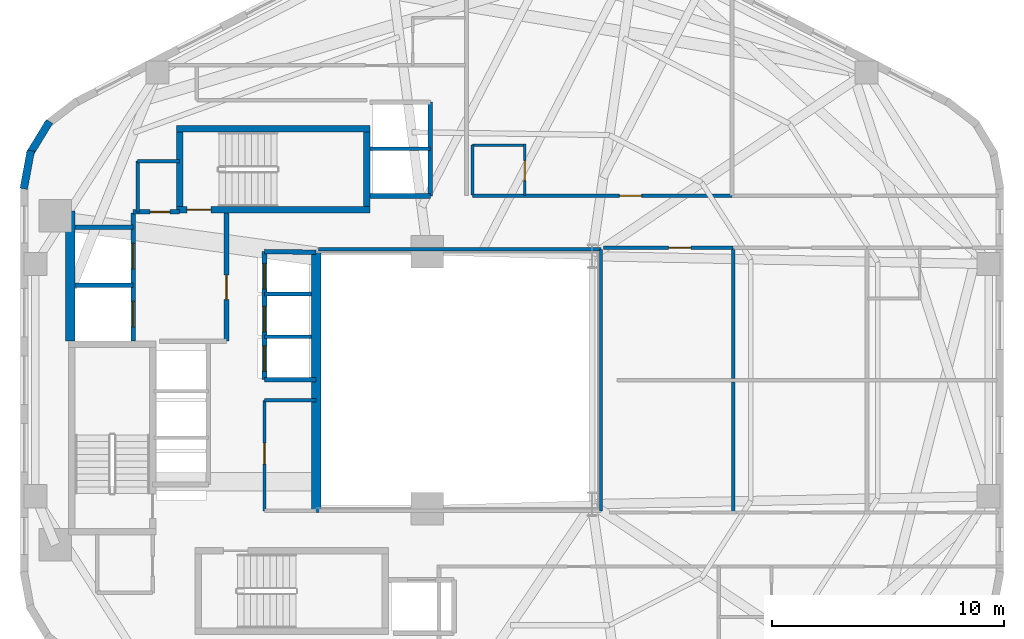
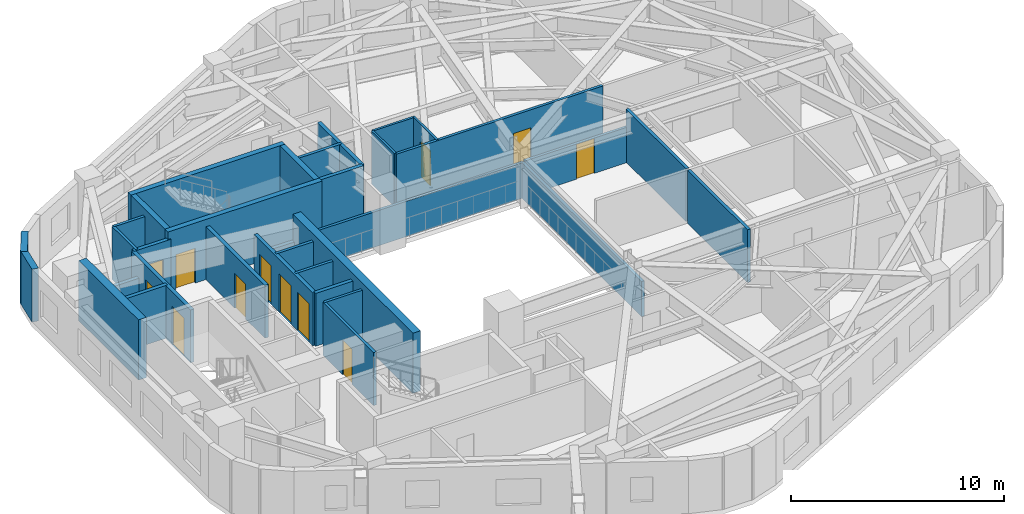
# One storey, part 4 of 7: 34 walls, 12 doors, 12 openings.
"""IFC4 building model written with IfcOpenShell, lengths in metres."""

from ifc_helpers import new_model, si_unit, direction, frame, frame_2d, origin, place, context, subcontext, project, spatial, rectangle, extrude, material, layer, layer_set, type_object, element, fill, save


model = new_model("IFC4")

# Units and contexts
model_context = context("Model", 3, precision=1e-05, world=origin(), true_north=direction((0.0, 1.0)))
body_context = subcontext(model_context, "Body", "Model", "MODEL_VIEW")
ifc_project = project(units=[si_unit("LENGTHUNIT", "METRE"), si_unit("AREAUNIT", "SQUARE_METRE"), si_unit("VOLUMEUNIT", "CUBIC_METRE"), si_unit("PLANEANGLEUNIT", "RADIAN"), si_unit("MASSUNIT", "GRAM", prefix="KILO"), si_unit("THERMODYNAMICTEMPERATUREUNIT", "KELVIN"), si_unit("POWERUNIT", "WATT")], contexts=[model_context])

# Site, building, storey
site_placement = place(None, origin())
site = spatial("IfcSite", under=ifc_project, at=site_placement, CompositionType="ELEMENT")
building_placement = place(site_placement, origin())
building = spatial("IfcBuilding", under=site, at=building_placement, Name="Skarre Station Tower", CompositionType="ELEMENT")
storey_placement = place(building_placement, frame((0.0, 0.0, 160.199951171875)))
storey = spatial("IfcBuildingStorey", under=building, at=storey_placement, Name="L43", CompositionType="ELEMENT", Elevation=160.199951171875)

# Wall, opening, door
ifc_material_1 = material(Name="Acoustic Steel-Stud Gypsum Partition", Category="steel")
ifc_layer_1 = layer(ifc_material_1, 0.14990234375, Name="Acoustic Steel-Stud Gypsum Partition")
ifc_layer_set_1 = layer_set([ifc_layer_1], Name="Acoustic Steel-Stud Gypsum Partition")
wall_type_1 = type_object("IfcWallType", Name="Fire-Rated Corridor Acoustic Partition 150", PredefinedType="PARTITIONING", material=ifc_layer_set_1)
wall_1_placement = place(storey_placement, frame((25.320068359375, 23.1298828125, 0.0), z_axis=(0.0, 0.0, 1.0), x_axis=(0.0, -1.0, 0.0)))
wall_1 = element("IfcWall", 1, at=wall_1_placement, inside=storey, type_object=wall_type_1, Name="L43 Interior Partition WL-PT-L43-RC1-W1", PredefinedType="PARTITIONING", context=body_context, shape_type="SweptSolid", body=[
    extrude(rectangle(XDim=4.769775390625, YDim=0.14990234375, at=frame_2d((2.384765625, 0.0))), origin(), (0.0, 0.0, 1.0), 3.030029296875),
])
opening_1_placement = place(wall_1_placement, frame((1.85009765625, 0.0, 0.0)))
opening_1 = element("IfcOpeningElement", 2, at=opening_1_placement, cuts=wall_1, Name="Opening DR-SVC90", PredefinedType="OPENING", context=body_context, shape_type="SweptSolid", body=[
    extrude(rectangle(XDim=0.89990234375, YDim=2.0, at=frame_2d((0.449951171875, 1.0))), frame((0.0, 0.0849609375, 0.0), z_axis=(0.0, -1.0, 0.0), x_axis=(1.0, 0.0, 0.0)), (0.0, 0.0, 1.0), 0.169921875),
])
ifc_material_2 = material(Name="Powder-Coated Hollow-Metal Acoustic Fire Leaf", Category="steel")
door_type_1 = type_object("IfcDoorType", Name="Service & Riser Fire Door FD60 900x2100", OperationType="SINGLE_SWING_LEFT", PredefinedType="DOOR", material=ifc_material_2)
door_1_placement = place(opening_1_placement, origin())
door_1 = element("IfcDoor", 3, at=door_1_placement, inside=storey, type_object=door_type_1, Name="L43 Core IT Room Door", OperationType="SINGLE_SWING_LEFT", OverallHeight=2.0, OverallWidth=0.89990234375, PredefinedType="DOOR", context=body_context, shape_type="SweptSolid", body=[
    extrude(rectangle(XDim=0.89990234375, YDim=2.0, at=frame_2d((0.449951171875, 1.0))), frame((0.0, 0.02490234375, 0.0), z_axis=(0.0, -1.0, 0.0), x_axis=(1.0, 0.0, 0.0)), (0.0, 0.0, 1.0), 0.050048828125),
])
fill(opening_1, door_1)

# Walls
wall_2_placement = place(storey_placement, frame((25.320068359375, 23.1298828125, 0.0), z_axis=(0.0, 0.0, 1.0), x_axis=(1.0, 0.0, 0.0)))
element("IfcWall", 4, at=wall_2_placement, inside=storey, type_object=wall_type_1, Name="L43 Interior Partition WL-PT-L43-RC1-N3", PredefinedType="PARTITIONING", context=body_context, shape_type="SweptSolid", body=[
    extrude(rectangle(XDim=2.22998046875, YDim=0.14990234375, at=frame_2d((1.114990234375, 0.0))), origin(), (0.0, 0.0, 1.0), 3.030029296875),
])
wall_3_placement = place(storey_placement, frame((19.85009765625, 33.449951171875, 0.0), z_axis=(0.0, 0.0, 1.0), x_axis=(0.0, -1.0, 0.0)))
element("IfcWall", 5, at=wall_3_placement, inside=storey, type_object=wall_type_1, Name="L43 Interior Partition WL-PT-L43-CNW-W", PredefinedType="PARTITIONING", context=body_context, shape_type="SweptSolid", body=[
    extrude(rectangle(XDim=2.18994140625, YDim=0.14990234375, at=frame_2d((1.094970703125, 0.0))), origin(), (0.0, 0.0, 1.0), 3.030029296875),
])
wall_4_placement = place(storey_placement, frame((21.659912109375, 33.449951171875, 0.0), z_axis=(0.0, 0.0, 1.0), x_axis=(-1.0, 0.0, 0.0)))
element("IfcWall", 6, at=wall_4_placement, inside=storey, type_object=wall_type_1, Name="L43 Interior Partition WL-PT-L43-CNW-N1", PredefinedType="PARTITIONING", context=body_context, shape_type="SweptSolid", body=[
    extrude(rectangle(XDim=1.809814453125, YDim=0.14990234375, at=frame_2d((0.90478515625, 0.0))), origin(), (0.0, 0.0, 1.0), 3.030029296875),
])
wall_5_placement = place(storey_placement, frame((39.840087890625, 29.639892578125, 0.0), z_axis=(0.0, 0.0, 1.0), x_axis=(-1.0, 0.0, 0.0)))
element("IfcWall", 7, at=wall_5_placement, inside=storey, type_object=wall_type_1, Name="L43 Interior Partition WL-PT-L43-ATRW-N", PredefinedType="PARTITIONING", context=body_context, shape_type="SweptSolid", body=[
    extrude(rectangle(XDim=12.2001953125, YDim=0.14990234375, at=frame_2d((6.10009765625, 0.0))), origin(), (0.0, 0.0, 1.0), 2.02197265625),
])
wall_6_placement = place(storey_placement, frame((39.840087890625, 18.360107421875, 0.0), z_axis=(0.0, 0.0, 1.0), x_axis=(0.0, 1.0, 0.0)))
element("IfcWall", 8, at=wall_6_placement, inside=storey, type_object=wall_type_1, Name="L43 Interior Partition WL-PT-L43-ATRW-E", PredefinedType="PARTITIONING", context=body_context, shape_type="SweptSolid", body=[
    extrude(rectangle(XDim=11.27978515625, YDim=0.14990234375, at=frame_2d((5.639892578125, 0.0))), origin(), (0.0, 0.0, 1.0), 2.02197265625),
])

# Wall, opening, door
wall_7_placement = place(storey_placement, frame((45.493896484375, 31.9599609375, 0.0), z_axis=(0.0, 0.0, 1.0), x_axis=(-1.0, 0.0, 0.0)))
wall_7 = element("IfcWall", 9, at=wall_7_placement, inside=storey, type_object=wall_type_1, Name="L43 Interior Partition WL-PT-L43-NW1-CW", PredefinedType="PARTITIONING", context=body_context, shape_type="SweptSolid", body=[
    extrude(rectangle(XDim=11.203857421875, YDim=0.14990234375, at=frame_2d((5.60205078125, 0.0))), origin(), (0.0, 0.0, 1.0), 3.030029296875),
])
opening_2_placement = place(wall_7_placement, frame((3.903076171875, 0.0, 0.0)))
opening_2 = element("IfcOpeningElement", 10, at=opening_2_placement, cuts=wall_7, Name="Opening DR-FD60", PredefinedType="OPENING", context=body_context, shape_type="SweptSolid", body=[
    extrude(rectangle(XDim=0.9599609375, YDim=2.0, at=frame_2d((0.47998046875, 1.0))), frame((0.0, 0.0849609375, 0.0), z_axis=(0.0, -1.0, 0.0), x_axis=(1.0, 0.0, 0.0)), (0.0, 0.0, 1.0), 0.169921875),
])
ifc_material_3 = material(Name="Nordic White-Oak Veneer Solid-Core Fire Leaf", Category="wood")
door_type_2 = type_object("IfcDoorType", Name="Corridor Suite Entry Fire Door FD60 960x2150", OperationType="SINGLE_SWING_LEFT", PredefinedType="DOOR", material=ifc_material_3)
door_2_placement = place(opening_2_placement, origin())
door_2 = element("IfcDoor", 11, at=door_2_placement, inside=storey, type_object=door_type_2, Name="L43 NW1 Entry Door", OperationType="SINGLE_SWING_LEFT", OverallHeight=2.0, OverallWidth=0.9599609375, PredefinedType="DOOR", context=body_context, shape_type="SweptSolid", body=[
    extrude(rectangle(XDim=0.9599609375, YDim=2.0, at=frame_2d((0.47998046875, 1.0))), frame((0.0, 0.02490234375, 0.0), z_axis=(0.0, -1.0, 0.0), x_axis=(1.0, 0.0, 0.0)), (0.0, 0.0, 1.0), 0.050048828125),
])
fill(opening_2, door_2)

wall_8_placement = place(storey_placement, frame((39.949951171875, 29.7099609375, 0.0), z_axis=(0.0, 0.0, 1.0), x_axis=(1.0, 0.0, 0.0)))
wall_8 = element("IfcWall", 12, at=wall_8_placement, inside=storey, type_object=wall_type_1, Name="L43 Interior Partition WL-PT-L43-EWN1-CW", PredefinedType="PARTITIONING", context=body_context, shape_type="SweptSolid", body=[
    extrude(rectangle(XDim=5.583984375, YDim=0.14990234375, at=frame_2d((2.7919921875, 0.0))), origin(), (0.0, 0.0, 1.0), 2.02197265625),
])
opening_3_placement = place(wall_8_placement, frame((2.81201171875, 0.0, 0.0)))
opening_3 = element("IfcOpeningElement", 13, at=opening_3_placement, cuts=wall_8, Name="Opening DR-FD60", PredefinedType="OPENING", context=body_context, shape_type="SweptSolid", body=[
    extrude(rectangle(XDim=0.9599609375, YDim=2.0, at=frame_2d((0.47998046875, 1.0))), frame((0.0, 0.0849609375, 0.0), z_axis=(0.0, -1.0, 0.0), x_axis=(1.0, 0.0, 0.0)), (0.0, 0.0, 1.0), 0.169921875),
])
door_3_placement = place(opening_3_placement, origin())
door_3 = element("IfcDoor", 14, at=door_3_placement, inside=storey, type_object=door_type_2, Name="L43 EWN1 Entry Door", OperationType="SINGLE_SWING_LEFT", OverallHeight=2.0, OverallWidth=0.9599609375, PredefinedType="DOOR", context=body_context, shape_type="SweptSolid", body=[
    extrude(rectangle(XDim=0.9599609375, YDim=2.0, at=frame_2d((0.47998046875, 1.0))), frame((0.0, 0.02490234375, 0.0), z_axis=(0.0, -1.0, 0.0), x_axis=(1.0, 0.0, 0.0)), (0.0, 0.0, 1.0), 0.050048828125),
])
fill(opening_3, door_3)

ifc_material_4 = material(Name="Insulated Timber-Stud Gypsum Partition", Category="wood")
ifc_layer_2 = layer(ifc_material_4, 0.1201171875, Name="Insulated Timber-Stud Gypsum Partition")
ifc_layer_set_2 = layer_set([ifc_layer_2], Name="Insulated Timber-Stud Gypsum Partition")
wall_type_2 = type_object("IfcWallType", Name="Internal Suite Acoustic Partition 120", PredefinedType="PARTITIONING", material=ifc_layer_set_2)
wall_9_placement = place(storey_placement, frame((36.550048828125, 31.9599609375, 0.0), z_axis=(0.0, 0.0, 1.0), x_axis=(0.0, 1.0, 0.0)))
wall_9 = element("IfcWall", 15, at=wall_9_placement, inside=storey, type_object=wall_type_2, Name="L43 Interior Partition WL-PT-L43-NW1-EW2", PredefinedType="PARTITIONING", context=body_context, shape_type="SweptSolid", body=[
    extrude(rectangle(XDim=2.239990234375, YDim=0.1201171875, at=frame_2d((1.1201171875, 0.0))), origin(), (0.0, 0.0, 1.0), 3.030029296875),
])
opening_4_placement = place(wall_9_placement, frame((0.64990234375, 0.0, 0.0)))
opening_4 = element("IfcOpeningElement", 16, at=opening_4_placement, cuts=wall_9, Name="Opening DR-INT86", PredefinedType="OPENING", context=body_context, shape_type="SweptSolid", body=[
    extrude(rectangle(XDim=0.860107421875, YDim=2.0, at=frame_2d((0.43017578125, 1.0))), frame((0.0, 0.070068359375, 0.0), z_axis=(0.0, -1.0, 0.0), x_axis=(1.0, 0.0, 0.0)), (0.0, 0.0, 1.0), 0.14013671875),
])
ifc_material_5 = material(Name="Nordic Birch Acoustic Solid-Core Timber Leaf", Category="wood")
door_type_3 = type_object("IfcDoorType", Name="Internal En-Suite & Bedroom Door 860x2100", OperationType="SINGLE_SWING_LEFT", PredefinedType="DOOR", material=ifc_material_5)
door_4_placement = place(opening_4_placement, origin())
door_4 = element("IfcDoor", 17, at=door_4_placement, inside=storey, type_object=door_type_3, Name="L43 NW1 En-suite Door", OperationType="SINGLE_SWING_LEFT", OverallHeight=2.0, OverallWidth=0.860107421875, PredefinedType="DOOR", context=body_context, shape_type="SweptSolid", body=[
    extrude(rectangle(XDim=0.860107421875, YDim=2.0, at=frame_2d((0.43017578125, 1.0))), frame((0.0, 0.02490234375, 0.0), z_axis=(0.0, -1.0, 0.0), x_axis=(1.0, 0.0, 0.0)), (0.0, 0.0, 1.0), 0.050048828125),
])
fill(opening_4, door_4)

# Walls
wall_10_placement = place(storey_placement, frame((36.610107421875, 34.139892578125, 0.0), z_axis=(0.0, 0.0, 1.0), x_axis=(-1.0, 0.0, 0.0)))
element("IfcWall", 18, at=wall_10_placement, inside=storey, type_object=wall_type_2, Name="L43 Interior Partition WL-PT-L43-NW1-EW3", PredefinedType="PARTITIONING", context=body_context, shape_type="SweptSolid", body=[
    extrude(rectangle(XDim=2.320068359375, YDim=0.1201171875, at=frame_2d((1.16015625, 0.0))), origin(), (0.0, 0.0, 1.0), 3.030029296875),
])
wall_11_placement = place(storey_placement, frame((34.2900390625, 34.139892578125, 0.0), z_axis=(0.0, 0.0, 1.0), x_axis=(0.0, -1.0, 0.0)))
element("IfcWall", 19, at=wall_11_placement, inside=storey, type_object=wall_type_2, Name="L43 Interior Partition WL-PT-L43-NW1-EW4", PredefinedType="PARTITIONING", context=body_context, shape_type="SweptSolid", body=[
    extrude(rectangle(XDim=2.139892578125, YDim=0.1201171875, at=frame_2d((1.06982421875, 0.0))), origin(), (0.0, 0.0, 1.0), 3.030029296875),
])
ifc_material_6 = material(Name="Precast concrete C45/55", Category="concrete")
ifc_layer_3 = layer(ifc_material_6, 0.330078125, Name="Precast concrete C45/55")
ifc_layer_set_3 = layer_set([ifc_layer_3], Name="Precast concrete C45/55")
wall_type_3 = type_object("IfcWallType", Name="Nordic Rounded Corner Precast Wall 330", PredefinedType="STANDARD", material=ifc_layer_set_3)
wall_12_placement = place(storey_placement, frame((14.931884765625, 32.258056640625, 0.0), z_axis=(0.0, 0.0, 1.0), x_axis=(0.181984991895, 0.983301308209, 0.0)))
element("IfcWall", 20, at=wall_12_placement, inside=storey, type_object=wall_type_3, Name="L43 Rounded Corner Precast Wall F2-1", PredefinedType="STANDARD", context=body_context, shape_type="SweptSolid", body=[
    extrude(rectangle(XDim=1.677001953125, YDim=0.330078125, at=frame_2d((0.83837890625, 0.0))), origin(), (0.0, 0.0, 1.0), 3.030029296875),
])
wall_13_placement = place(storey_placement, frame((15.169921875, 33.73193359375, 0.0), z_axis=(0.0, 0.0, 1.0), x_axis=(0.520519429557, 0.853849824883, 0.0)))
element("IfcWall", 21, at=wall_13_placement, inside=storey, type_object=wall_type_3, Name="L43 Rounded Corner Precast Wall F2-2", PredefinedType="STANDARD", context=body_context, shape_type="SweptSolid", body=[
    extrude(rectangle(XDim=1.67724609375, YDim=0.330078125, at=frame_2d((0.838623046875, 0.0))), origin(), (0.0, 0.0, 1.0), 3.030029296875),
])

# Wall, opening, door
ifc_material_7 = material(Name="Concrete C50/60", Category="concrete")
ifc_layer_4 = layer(ifc_material_7, 0.280029296875, Name="Concrete C50/60")
ifc_layer_set_4 = layer_set([ifc_layer_4], Name="Concrete C50/60")
wall_type_4 = type_object("IfcWallType", Name="RC Core Shear Wall 280", PredefinedType="SHEAR", material=ifc_layer_set_4)
wall_14_placement = place(storey_placement, frame((21.52001953125, 31.360107421875, 0.0), z_axis=(0.0, 0.0, 1.0), x_axis=(1.0, 0.0, 0.0)))
wall_14 = element("IfcWall", 22, at=wall_14_placement, inside=storey, type_object=wall_type_4, Name="L43 Stair ST-3 South Shear Wall", PredefinedType="SHEAR", context=body_context, shape_type="SweptSolid", body=[
    extrude(rectangle(XDim=8.35986328125, YDim=0.280029296875, at=frame_2d((4.179931640625, 0.0))), origin(), (0.0, 0.0, 1.0), 3.449951171875),
])
opening_5_placement = place(wall_14_placement, frame((0.449951171875, 0.0, 0.0)))
opening_5 = element("IfcOpeningElement", 23, at=opening_5_placement, cuts=wall_14, Name="Opening DR-FD90", PredefinedType="OPENING", context=body_context, shape_type="SweptSolid", body=[
    extrude(rectangle(XDim=1.050048828125, YDim=2.0, at=frame_2d((0.52490234375, 1.0))), frame((0.0, 0.14990234375, 0.0), z_axis=(0.0, -1.0, 0.0), x_axis=(1.0, 0.0, 0.0)), (0.0, 0.0, 1.0), 0.300048828125),
])
ifc_material_8 = material(Name="Fire-Rated Insulated Steel Frame & Timber Core Leaf", Category="steel")
door_type_4 = type_object("IfcDoorType", Name="Stair & FSAE Lobby Fire Door FD90 1050x2150", OperationType="SINGLE_SWING_RIGHT", PredefinedType="DOOR", material=ifc_material_8)
door_5_placement = place(opening_5_placement, origin())
door_5 = element("IfcDoor", 24, at=door_5_placement, inside=storey, type_object=door_type_4, Name="L43 Stair ST-3 & FSAE Lobby Direct Exit Door", OperationType="SINGLE_SWING_LEFT", OverallHeight=2.0, OverallWidth=1.050048828125, PredefinedType="DOOR", context=body_context, shape_type="SweptSolid", body=[
    extrude(rectangle(XDim=1.050048828125, YDim=2.0, at=frame_2d((0.52490234375, 1.0))), frame((0.0, 0.02490234375, 0.0), z_axis=(0.0, -1.0, 0.0), x_axis=(1.0, 0.0, 0.0)), (0.0, 0.0, 1.0), 0.050048828125),
])
fill(opening_5, door_5)

# Walls
wall_15_placement = place(storey_placement, frame((29.8798828125, 34.840087890625, 0.0), z_axis=(0.0, 0.0, 1.0), x_axis=(-1.0, 0.0, 0.0)))
element("IfcWall", 25, at=wall_15_placement, inside=storey, type_object=wall_type_4, Name="L43 Stair ST-3 North Shear Wall", PredefinedType="SHEAR", context=body_context, shape_type="SweptSolid", body=[
    extrude(rectangle(XDim=8.35986328125, YDim=0.280029296875, at=frame_2d((4.179931640625, 0.0))), origin(), (0.0, 0.0, 1.0), 3.449951171875),
])
for number, where, z_axis, x_axis, name in (
    (26, (21.659912109375, 34.699951171875, 0.0), (0.0, 0.0, 1.0), (0.0, -1.0, 0.0), "L43 Stair ST-3 West Shear Wall"),
    (27, (29.739990234375, 31.5, 0.0), (0.0, 0.0, 1.0), (0.0, 1.0, 0.0), "L43 Stair ST-3 East Shear Wall"),
):
    element("IfcWall", number, at=place(storey_placement, frame(where, z_axis=z_axis, x_axis=x_axis)), inside=storey, type_object=wall_type_4, Name=name, PredefinedType="SHEAR", context=body_context, shape_type="SweptSolid", body=[
        extrude(rectangle(XDim=3.199951171875, YDim=0.280029296875, at=frame_2d((1.60009765625, 0.0))), origin(), (0.0, 0.0, 1.0), 3.449951171875),
    ])
ifc_material_9 = material(Name="Concrete C60/75", Category="concrete")
ifc_layer_5 = layer(ifc_material_9, 0.419921875, Name="Concrete C60/75")
ifc_layer_set_5 = layer_set([ifc_layer_5], Name="Concrete C60/75")
wall_type_5 = type_object("IfcWallType", Name="RC Core Shear Wall 420", PredefinedType="SHEAR", material=ifc_layer_set_5)
wall_16_placement = place(storey_placement, frame((16.93994140625, 25.679931640625, 0.0), z_axis=(0.0, 0.0, 1.0), x_axis=(0.0, 1.0, 0.0)))
element("IfcWall", 28, at=wall_16_placement, inside=storey, type_object=wall_type_5, Name="L43 Core West-North Shear Wall", PredefinedType="SHEAR", context=body_context, shape_type="SweptSolid", body=[
    extrude(rectangle(XDim=5.6201171875, YDim=0.419921875, at=frame_2d((2.81005859375, 0.0))), origin(), (0.0, 0.0, 1.0), 3.449951171875),
])
wall_17_placement = place(storey_placement, frame((27.550048828125, 29.550048828125, 0.0), z_axis=(0.0, 0.0, 1.0), x_axis=(0.0, -1.0, 0.0)))
element("IfcWall", 29, at=wall_17_placement, inside=storey, type_object=wall_type_5, Name="L43 Core East Atrium Shear Wall", PredefinedType="SHEAR", context=body_context, shape_type="SweptSolid", body=[
    extrude(rectangle(XDim=11.25, YDim=0.419921875, at=frame_2d((5.625, 0.0))), origin(), (0.0, 0.0, 1.0), 3.449951171875),
])

# Wall, openings, doors
ifc_material_10 = material(Name="Gypsum Concrete Shaft Assembly C30/37", Category="concrete")
ifc_layer_6 = layer(ifc_material_10, 0.199951171875, Name="Gypsum Concrete Shaft Assembly C30/37")
ifc_layer_set_6 = layer_set([ifc_layer_6], Name="Gypsum Concrete Shaft Assembly C30/37")
wall_type_6 = type_object("IfcWallType", Name="Shaft & Core Fire Partition 200", PredefinedType="PARTITIONING", material=ifc_layer_set_6)
wall_18_placement = place(storey_placement, frame((19.64990234375, 25.679931640625, 0.0), z_axis=(0.0, 0.0, 1.0), x_axis=(0.0, 1.0, 0.0)))
wall_18 = element("IfcWall", 30, at=wall_18_placement, inside=storey, type_object=wall_type_6, Name="L43 Interior Partition WL-PT-L43-FSAE-W", PredefinedType="PARTITIONING", context=body_context, shape_type="SweptSolid", body=[
    extrude(rectangle(XDim=5.5400390625, YDim=0.199951171875, at=frame_2d((2.77001953125, 0.0))), origin(), (0.0, 0.0, 1.0), 3.030029296875),
])
opening_6_placement = place(wall_18_placement, frame((0.6201171875, 0.0, 0.0)))
opening_6 = element("IfcOpeningElement", 31, at=opening_6_placement, cuts=wall_18, Name="Opening LD-FF1", PredefinedType="OPENING", context=body_context, shape_type="SweptSolid", body=[
    extrude(rectangle(XDim=1.10009765625, YDim=2.199951171875, at=frame_2d((0.550048828125, 1.10009765625))), frame((0.0, 0.10986328125, 0.0), z_axis=(0.0, -1.0, 0.0), x_axis=(1.0, 0.0, 0.0)), (0.0, 0.0, 1.0), 0.219970703125),
])
opening_7_placement = place(wall_18_placement, frame((3.1201171875, 0.0, 0.0)))
opening_7 = element("IfcOpeningElement", 32, at=opening_7_placement, cuts=wall_18, Name="Opening LD-FF2", PredefinedType="OPENING", context=body_context, shape_type="SweptSolid", body=[
    extrude(rectangle(XDim=1.10009765625, YDim=2.199951171875, at=frame_2d((0.550048828125, 1.10009765625))), frame((0.0, 0.10986328125, 0.0), z_axis=(0.0, -1.0, 0.0), x_axis=(1.0, 0.0, 0.0)), (0.0, 0.0, 1.0), 0.219970703125),
])
ifc_material_11 = material(Name="Fire-Rated Stainless Steel Grade 316L Sliding Leaves", Category="steel")
door_type_5 = type_object("IfcDoorType", Name="Fire Service Access Elevator Sliding Landing Door 1100x2200", OperationType="SLIDING_TO_LEFT", PredefinedType="DOOR", material=ifc_material_11)
door_6_placement = place(opening_6_placement, origin())
door_6 = element("IfcDoor", 33, at=door_6_placement, inside=storey, type_object=door_type_5, Name="L43 Firefighting Lift LF-FF1 Landing Door", OperationType="SLIDING_TO_LEFT", OverallHeight=2.199951171875, OverallWidth=1.10009765625, PredefinedType="DOOR", context=body_context, shape_type="SweptSolid", body=[
    extrude(rectangle(XDim=1.10009765625, YDim=2.199951171875, at=frame_2d((0.550048828125, 1.10009765625))), frame((0.0, 0.02490234375, 0.0), z_axis=(0.0, -1.0, 0.0), x_axis=(1.0, 0.0, 0.0)), (0.0, 0.0, 1.0), 0.050048828125),
])
fill(opening_6, door_6)
door_7_placement = place(opening_7_placement, origin())
door_7 = element("IfcDoor", 34, at=door_7_placement, inside=storey, type_object=door_type_5, Name="L43 Firefighting Lift LF-FF2 Landing Door", OperationType="SLIDING_TO_LEFT", OverallHeight=2.199951171875, OverallWidth=1.10009765625, PredefinedType="DOOR", context=body_context, shape_type="SweptSolid", body=[
    extrude(rectangle(XDim=1.10009765625, YDim=2.199951171875, at=frame_2d((0.550048828125, 1.10009765625))), frame((0.0, 0.02490234375, 0.0), z_axis=(0.0, -1.0, 0.0), x_axis=(1.0, 0.0, 0.0)), (0.0, 0.0, 1.0), 0.050048828125),
])
fill(opening_7, door_7)

# Wall, opening, door
wall_19_placement = place(storey_placement, frame((23.679931640625, 25.679931640625, 0.0), z_axis=(0.0, 0.0, 1.0), x_axis=(0.0, 1.0, 0.0)))
wall_19 = element("IfcWall", 35, at=wall_19_placement, inside=storey, type_object=wall_type_6, Name="L43 Interior Partition WL-PT-L43-FSAE-E", PredefinedType="PARTITIONING", context=body_context, shape_type="SweptSolid", body=[
    extrude(rectangle(XDim=5.5400390625, YDim=0.199951171875, at=frame_2d((2.77001953125, 0.0))), origin(), (0.0, 0.0, 1.0), 3.030029296875),
])
opening_8_placement = place(wall_19_placement, frame((1.800048828125, 0.0, 0.0)))
opening_8 = element("IfcOpeningElement", 36, at=opening_8_placement, cuts=wall_19, Name="Opening DR-FD90", PredefinedType="OPENING", context=body_context, shape_type="SweptSolid", body=[
    extrude(rectangle(XDim=1.050048828125, YDim=2.0, at=frame_2d((0.52490234375, 1.0))), frame((0.0, 0.10986328125, 0.0), z_axis=(0.0, -1.0, 0.0), x_axis=(1.0, 0.0, 0.0)), (0.0, 0.0, 1.0), 0.219970703125),
])
door_8_placement = place(opening_8_placement, origin())
door_8 = element("IfcDoor", 37, at=door_8_placement, inside=storey, type_object=door_type_4, Name="L43 FSAE Lobby Fire Door", OperationType="SINGLE_SWING_RIGHT", OverallHeight=2.0, OverallWidth=1.050048828125, PredefinedType="DOOR", context=body_context, shape_type="SweptSolid", body=[
    extrude(rectangle(XDim=1.050048828125, YDim=2.0, at=frame_2d((0.52490234375, 1.0))), frame((0.0, 0.02490234375, 0.0), z_axis=(0.0, -1.0, 0.0), x_axis=(1.0, 0.0, 0.0)), (0.0, 0.0, 1.0), 0.050048828125),
])
fill(opening_8, door_8)

wall_20_placement = place(storey_placement, frame((21.659912109375, 31.260009765625, 0.0), z_axis=(0.0, 0.0, 1.0), x_axis=(-1.0, 0.0, 0.0)))
wall_20 = element("IfcWall", 38, at=wall_20_placement, inside=storey, type_object=wall_type_6, Name="L43 Interior Partition WL-PT-L43-FSAE-N", PredefinedType="PARTITIONING", context=body_context, shape_type="SweptSolid", body=[
    extrude(rectangle(XDim=2.010009765625, YDim=0.199951171875, at=frame_2d((1.0048828125, 0.0))), origin(), (0.0, 0.0, 1.0), 3.030029296875),
])
opening_9_placement = place(wall_20_placement, frame((0.419921875, 0.0, 0.0)))
opening_9 = element("IfcOpeningElement", 39, at=opening_9_placement, cuts=wall_20, Name="Opening DR-SVC86", PredefinedType="OPENING", context=body_context, shape_type="SweptSolid", body=[
    extrude(rectangle(XDim=0.860107421875, YDim=2.0, at=frame_2d((0.43017578125, 1.0))), frame((0.0, 0.10986328125, 0.0), z_axis=(0.0, -1.0, 0.0), x_axis=(1.0, 0.0, 0.0)), (0.0, 0.0, 1.0), 0.219970703125),
])
door_type_6 = type_object("IfcDoorType", Name="Compact Riser Fire Door FD60 860x2100", OperationType="SINGLE_SWING_LEFT", PredefinedType="DOOR", material=ifc_material_2)
door_9_placement = place(opening_9_placement, origin())
door_9 = element("IfcDoor", 40, at=door_9_placement, inside=storey, type_object=door_type_6, Name="L43 Core Service Room Lobby Door", OperationType="SINGLE_SWING_LEFT", OverallHeight=2.0, OverallWidth=0.860107421875, PredefinedType="DOOR", context=body_context, shape_type="SweptSolid", body=[
    extrude(rectangle(XDim=0.860107421875, YDim=2.0, at=frame_2d((0.43017578125, 1.0))), frame((0.0, 0.02490234375, 0.0), z_axis=(0.0, -1.0, 0.0), x_axis=(1.0, 0.0, 0.0)), (0.0, 0.0, 1.0), 0.050048828125),
])
fill(opening_9, door_9)

# Walls
wall_21_placement = place(storey_placement, frame((17.14990234375, 28.10009765625, 0.0), z_axis=(0.0, 0.0, 1.0), x_axis=(1.0, 0.0, 0.0)))
element("IfcWall", 41, at=wall_21_placement, inside=storey, type_object=wall_type_6, Name="L43 Interior Partition WL-PT-L43-FF-DIV", PredefinedType="PARTITIONING", context=body_context, shape_type="SweptSolid", body=[
    extrude(rectangle(XDim=2.5, YDim=0.199951171875, at=frame_2d((1.25, 0.0))), origin(), (0.0, 0.0, 1.0), 3.030029296875),
])
wall_22_placement = place(storey_placement, frame((19.64990234375, 30.60009765625, 0.0), z_axis=(0.0, 0.0, 1.0), x_axis=(-1.0, 0.0, 0.0)))
element("IfcWall", 42, at=wall_22_placement, inside=storey, type_object=wall_type_6, Name="L43 Interior Partition WL-PT-L43-FF-N", PredefinedType="PARTITIONING", context=body_context, shape_type="SweptSolid", body=[
    extrude(rectangle(XDim=2.5, YDim=0.199951171875, at=frame_2d((1.25, 0.0))), origin(), (0.0, 0.0, 1.0), 1.929931640625),
])
wall_23_placement = place(storey_placement, frame((32.47998046875, 31.949951171875, 0.0), z_axis=(0.0, 0.0, 1.0), x_axis=(0.0, 1.0, 0.0)))
element("IfcWall", 43, at=wall_23_placement, inside=storey, type_object=wall_type_6, Name="L43 Interior Partition WL-PT-L43-EX-E", PredefinedType="PARTITIONING", context=body_context, shape_type="SweptSolid", body=[
    extrude(rectangle(XDim=4.050048828125, YDim=0.199951171875, at=frame_2d((2.02490234375, 0.0))), origin(), (0.0, 0.0, 1.0), 3.030029296875),
])
wall_24_placement = place(storey_placement, frame((32.47998046875, 31.949951171875, 0.0), z_axis=(0.0, 0.0, 1.0), x_axis=(-1.0, 0.0, 0.0)))
element("IfcWall", 44, at=wall_24_placement, inside=storey, type_object=wall_type_6, Name="L43 Interior Partition WL-PT-L43-EX-S", PredefinedType="PARTITIONING", context=body_context, shape_type="SweptSolid", body=[
    extrude(rectangle(XDim=2.60009765625, YDim=0.199951171875, at=frame_2d((1.300048828125, 0.0))), origin(), (0.0, 0.0, 1.0), 3.030029296875),
])
wall_25_placement = place(storey_placement, frame((29.875, 33.97998046875, 0.0), z_axis=(0.0, 0.0, 1.0), x_axis=(1.0, 0.0, 0.0)))
element("IfcWall", 45, at=wall_25_placement, inside=storey, type_object=wall_type_6, Name="L43 Interior Partition WL-PT-L43-EX-DIV", PredefinedType="PARTITIONING", context=body_context, shape_type="SweptSolid", body=[
    extrude(rectangle(XDim=2.60498046875, YDim=0.159912109375, at=frame_2d((1.302490234375, 0.0))), origin(), (0.0, 0.0, 1.0), 3.030029296875),
])

# Wall, openings, doors
wall_26_placement = place(storey_placement, frame((25.320068359375, 29.550048828125, 0.0), z_axis=(0.0, 0.0, 1.0), x_axis=(0.0, -1.0, 0.0)))
wall_26 = element("IfcWall", 46, at=wall_26_placement, inside=storey, type_object=wall_type_6, Name="L43 Interior Partition WL-PT-L43-B2-W", PredefinedType="PARTITIONING", context=body_context, shape_type="SweptSolid", body=[
    extrude(rectangle(XDim=5.530029296875, YDim=0.199951171875, at=frame_2d((2.76513671875, 0.0))), origin(), (0.0, 0.0, 1.0), 3.030029296875),
])
opening_10_placement = place(wall_26_placement, frame((0.52001953125, 0.0, 0.0)))
opening_10 = element("IfcOpeningElement", 47, at=opening_10_placement, cuts=wall_26, Name="Opening LD-P6", PredefinedType="OPENING", context=body_context, shape_type="SweptSolid", body=[
    extrude(rectangle(XDim=1.10009765625, YDim=2.199951171875, at=frame_2d((0.550048828125, 1.10009765625))), frame((0.0, 0.10986328125, 0.0), z_axis=(0.0, -1.0, 0.0), x_axis=(1.0, 0.0, 0.0)), (0.0, 0.0, 1.0), 0.219970703125),
])
opening_11_placement = place(wall_26_placement, frame((2.3701171875, 0.0, 0.0)))
opening_11 = element("IfcOpeningElement", 48, at=opening_11_placement, cuts=wall_26, Name="Opening LD-P5", PredefinedType="OPENING", context=body_context, shape_type="SweptSolid", body=[
    extrude(rectangle(XDim=1.10009765625, YDim=2.199951171875, at=frame_2d((0.550048828125, 1.10009765625))), frame((0.0, 0.10986328125, 0.0), z_axis=(0.0, -1.0, 0.0), x_axis=(1.0, 0.0, 0.0)), (0.0, 0.0, 1.0), 0.219970703125),
])
opening_12_placement = place(wall_26_placement, frame((4.070068359375, 0.0, 0.0)))
opening_12 = element("IfcOpeningElement", 49, at=opening_12_placement, cuts=wall_26, Name="Opening LD-P4", PredefinedType="OPENING", context=body_context, shape_type="SweptSolid", body=[
    extrude(rectangle(XDim=1.10009765625, YDim=2.199951171875, at=frame_2d((0.550048828125, 1.10009765625))), frame((0.0, 0.10986328125, 0.0), z_axis=(0.0, -1.0, 0.0), x_axis=(1.0, 0.0, 0.0)), (0.0, 0.0, 1.0), 0.219970703125),
])
ifc_material_12 = material(Name="Brushed Bronze Stainless Steel Sliding Leaves", Category="steel")
door_type_7 = type_object("IfcDoorType", Name="Passenger Elevator Center-Parting Sliding Door 1100x2200", OperationType="SLIDING_TO_LEFT", PredefinedType="DOOR", material=ifc_material_12)
door_10_placement = place(opening_10_placement, origin())
door_10 = element("IfcDoor", 50, at=door_10_placement, inside=storey, type_object=door_type_7, Name="L43 Passenger Lift LF-P6 Landing Door", OperationType="SLIDING_TO_LEFT", OverallHeight=2.199951171875, OverallWidth=1.10009765625, PredefinedType="DOOR", context=body_context, shape_type="SweptSolid", body=[
    extrude(rectangle(XDim=1.10009765625, YDim=2.199951171875, at=frame_2d((0.550048828125, 1.10009765625))), frame((0.0, 0.02490234375, 0.0), z_axis=(0.0, -1.0, 0.0), x_axis=(1.0, 0.0, 0.0)), (0.0, 0.0, 1.0), 0.050048828125),
])
fill(opening_10, door_10)
door_11_placement = place(opening_11_placement, origin())
door_11 = element("IfcDoor", 51, at=door_11_placement, inside=storey, type_object=door_type_7, Name="L43 Passenger Lift LF-P5 Landing Door", OperationType="SLIDING_TO_LEFT", OverallHeight=2.199951171875, OverallWidth=1.10009765625, PredefinedType="DOOR", context=body_context, shape_type="SweptSolid", body=[
    extrude(rectangle(XDim=1.10009765625, YDim=2.199951171875, at=frame_2d((0.550048828125, 1.10009765625))), frame((0.0, 0.02490234375, 0.0), z_axis=(0.0, -1.0, 0.0), x_axis=(1.0, 0.0, 0.0)), (0.0, 0.0, 1.0), 0.050048828125),
])
fill(opening_11, door_11)
door_12_placement = place(opening_12_placement, origin())
door_12 = element("IfcDoor", 52, at=door_12_placement, inside=storey, type_object=door_type_7, Name="L43 Passenger Lift LF-P4 Landing Door", OperationType="SLIDING_TO_LEFT", OverallHeight=2.199951171875, OverallWidth=1.10009765625, PredefinedType="DOOR", context=body_context, shape_type="SweptSolid", body=[
    extrude(rectangle(XDim=1.10009765625, YDim=2.199951171875, at=frame_2d((0.550048828125, 1.10009765625))), frame((0.0, 0.02490234375, 0.0), z_axis=(0.0, -1.0, 0.0), x_axis=(1.0, 0.0, 0.0)), (0.0, 0.0, 1.0), 0.050048828125),
])
fill(opening_12, door_12)

# Walls
wall_27_placement = place(storey_placement, frame((27.550048828125, 29.52001953125, 0.0), z_axis=(0.0, 0.0, 1.0), x_axis=(-0.999909343457, 0.013464949556, 0.0)))
element("IfcWall", 53, at=wall_27_placement, inside=storey, type_object=wall_type_6, Name="L43 Interior Partition WL-PT-L43-B2-N", PredefinedType="PARTITIONING", context=body_context, shape_type="SweptSolid", body=[
    extrude(rectangle(XDim=2.230224609375, YDim=0.199951171875, at=frame_2d((1.115234375, 0.0))), origin(), (0.0, 0.0, 1.0), 1.929931640625),
])
wall_28_placement = place(storey_placement, frame((25.320068359375, 24.02001953125, 0.0), z_axis=(0.0, 0.0, 1.0), x_axis=(1.0, 0.0, 0.0)))
element("IfcWall", 54, at=wall_28_placement, inside=storey, type_object=wall_type_6, Name="L43 Interior Partition WL-PT-L43-B2-S", PredefinedType="PARTITIONING", context=body_context, shape_type="SweptSolid", body=[
    extrude(rectangle(XDim=2.22998046875, YDim=0.199951171875, at=frame_2d((1.114990234375, 0.0))), origin(), (0.0, 0.0, 1.0), 3.030029296875),
])
for number, where, z_axis, x_axis, name in (
    (55, (25.320068359375, 25.8701171875, 0.0), (0.0, 0.0, 1.0), (1.0, 0.0, 0.0), "L43 Interior Partition WL-PT-L43-B2-D258"),
    (56, (25.320068359375, 27.719970703125, 0.0), (0.0, 0.0, 1.0), (1.0, 0.0, 0.0), "L43 Interior Partition WL-PT-L43-B2-D277"),
):
    element("IfcWall", number, at=place(storey_placement, frame(where, z_axis=z_axis, x_axis=x_axis)), inside=storey, type_object=wall_type_6, Name=name, PredefinedType="PARTITIONING", context=body_context, shape_type="SweptSolid", body=[
        extrude(rectangle(XDim=2.030029296875, YDim=0.159912109375, at=frame_2d((1.01513671875, 0.0))), origin(), (0.0, 0.0, 1.0), 3.030029296875),
    ])
ifc_layer_7 = layer(ifc_material_1, 0.1650390625, Name="Acoustic Steel-Stud Gypsum Partition")
ifc_layer_set_7 = layer_set([ifc_layer_7], Name="Acoustic Steel-Stud Gypsum Partition")
wall_type_7 = type_object("IfcWallType", Name="Suite Demising Acoustic Partition 165", PredefinedType="PARTITIONING", material=ifc_layer_set_7)
for number, where, z_axis, x_axis, name in (
    (57, (45.549072265625, 24.070068359375, 0.0), (0.0, 0.0, 1.0), (0.0, 1.0, 0.0), "L43 Interior Partition WL-PT-L43-EWN-P1"),
    (58, (45.549072265625, 18.2900390625, 0.0), (0.0, 0.0, 1.0), (0.0, 1.0, 0.0), "L43 Interior Partition WL-PT-L43-EWS-P1"),
):
    element("IfcWall", number, at=place(storey_placement, frame(where, z_axis=z_axis, x_axis=x_axis)), inside=storey, type_object=wall_type_7, Name=name, PredefinedType="PARTITIONING", context=body_context, shape_type="SweptSolid", body=[
        extrude(rectangle(XDim=5.639892578125, YDim=0.1650390625, at=frame_2d((2.81982421875, 0.0))), origin(), (0.0, 0.0, 1.0), 3.030029296875),
    ])

save(model, "model.ifc")
